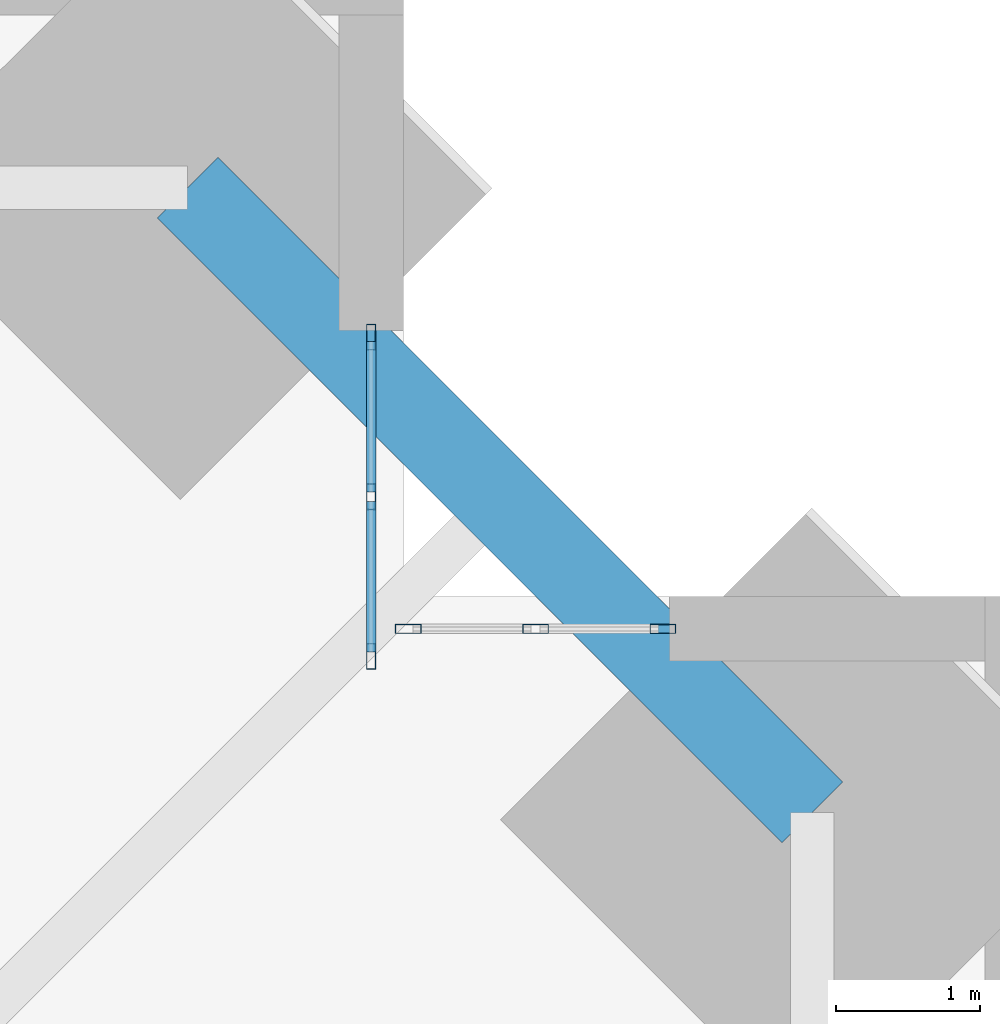
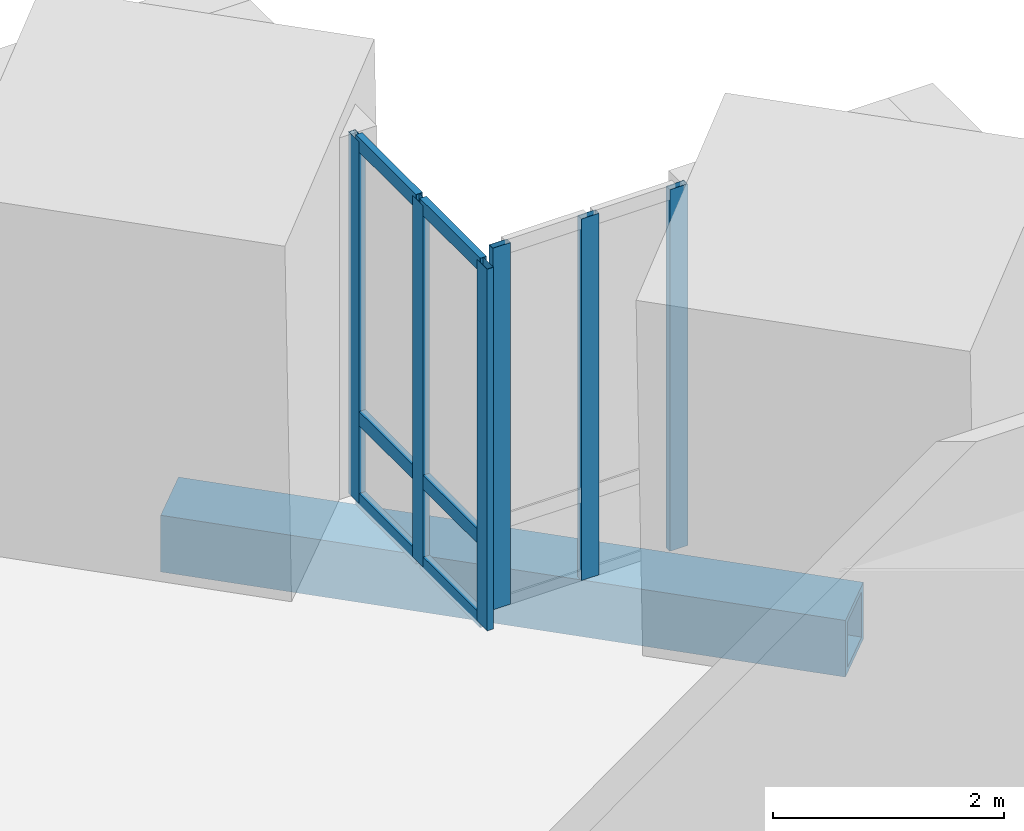
# One storey, part 8 of 15: 12 members, 1 beam, 2 elements without a shape of their own.
"""IFC4 building model written with IfcOpenShell, lengths in metres."""

import ifcopenshell
import ifcopenshell.guid

model = None  # the IFC model being written
_history = None  # IfcOwnerHistory: only IFC2X3 demands one
_inside = {}  # id of a spatial element -> (the spatial element, [elements in it])
_under = {}  # id of a project, library or spatial element -> (it, [spatial elements below it])
_declared = {}  # id of a project -> (the project, [libraries it declares])
_typed = {}  # id of a type object -> (the type object, [elements of that type])
_made_of = {}  # id of a material, layer set ... -> (it, [elements and type objects made of it])


def new_model(schema):
    """Start an empty IFC model of exactly this schema.

    Asked for "IFC4X3", IfcOpenShell would pick the latest addendum, in which some entities
    have other attributes; the version numbers below select the first issue.
    IFC2X3 requires an IfcOwnerHistory on every rooted entity: one is made here for all.
    """
    global model, _history
    if schema == "IFC4X3":
        model = ifcopenshell.file(schema_version=(4, 3, 0, 0))
    else:
        model = ifcopenshell.file(schema=schema)
    _inside.clear()
    _under.clear()
    _declared.clear()
    _typed.clear()
    _made_of.clear()
    _history = None
    if model.schema == "IFC2X3":
        org = make("IfcOrganization", Name="unknown")
        user = make(
            "IfcPersonAndOrganization",
            ThePerson=make("IfcPerson", FamilyName="unknown"),
            TheOrganization=org,
        )
        app = make(
            "IfcApplication",
            ApplicationDeveloper=org,
            Version="unknown",
            ApplicationFullName="unknown",
            ApplicationIdentifier="unknown",
        )
        _history = make(
            "IfcOwnerHistory",
            OwningUser=user,
            OwningApplication=app,
            ChangeAction="ADDED",
            CreationDate=0,
        )
    return model


def make(cls, **values):
    """One entity of the class cls with the attributes given. An attribute that is None is left unset."""
    return model.create_entity(
        cls, **{name: value for name, value in values.items() if value is not None}
    )


def rooted(cls, **values):
    """An entity with a GlobalId (a new one), such as an element, a storey or a relation."""
    return make(cls, GlobalId=ifcopenshell.guid.new(), OwnerHistory=_history, **values)


def si_unit(unit_type, name, prefix=None):
    """IfcSIUnit, for example si_unit("LENGTHUNIT", "METRE", prefix="MILLI")."""
    return make("IfcSIUnit", UnitType=unit_type, Prefix=prefix, Name=name)


def assignment(units):
    """IfcUnitAssignment: the units of a project."""
    return None if units is None else make("IfcUnitAssignment", Units=units)


def point(xyz):
    """IfcCartesianPoint."""
    return None if xyz is None else make("IfcCartesianPoint", Coordinates=xyz)


def direction(xyz):
    """IfcDirection."""
    return None if xyz is None else make("IfcDirection", DirectionRatios=xyz)


def frame(location, z_axis=None, x_axis=None):
    """IfcAxis2Placement3D, a coordinate frame: its origin and axes. An axis left out is left unset."""
    return make(
        "IfcAxis2Placement3D",
        Location=point(location),
        Axis=direction(z_axis),
        RefDirection=direction(x_axis),
    )


def frame_2d(location, x_axis=None):
    """IfcAxis2Placement2D, a coordinate frame in the plane: its origin and x axis."""
    return make(
        "IfcAxis2Placement2D", Location=point(location), RefDirection=direction(x_axis)
    )


def origin():
    """The frame at (0, 0, 0) with its axes left unset."""
    return frame((0.0, 0.0, 0.0))


def origin_2d():
    """The frame at (0, 0) in the plane with its x axis left unset."""
    return frame_2d((0.0, 0.0))


def place(relative_to, where):
    """IfcLocalPlacement: puts the frame where relative to a parent placement (None: the world)."""
    return make(
        "IfcLocalPlacement", PlacementRelTo=relative_to, RelativePlacement=where
    )


def context(
    kind, dimensions, precision=None, world=None, true_north=None, identifier=None
):
    """IfcGeometricRepresentationContext, for example the 3D "Model" context."""
    return make(
        "IfcGeometricRepresentationContext",
        ContextIdentifier=identifier,
        ContextType=kind,
        CoordinateSpaceDimension=dimensions,
        Precision=precision,
        WorldCoordinateSystem=world,
        TrueNorth=true_north,
    )


def subcontext(parent, identifier, kind, view, scale=None):
    """IfcGeometricRepresentationSubContext, for example "Body" below "Model"."""
    return make(
        "IfcGeometricRepresentationSubContext",
        ContextIdentifier=identifier,
        ContextType=kind,
        ParentContext=parent,
        TargetScale=scale,
        TargetView=view,
    )


def project(units=None, contexts=None):
    """IfcProject with its units and contexts."""
    return rooted(
        "IfcProject",
        Name="project",
        RepresentationContexts=contexts,
        UnitsInContext=assignment(units),
    )


def spatial(cls, under=None, at=None, **own):
    """A site, building, storey or space (cls), placed at a placement, below another one or the project."""
    s = rooted(cls, ObjectPlacement=at, **own)
    if under is not None:
        _under.setdefault(under.id(), (under, []))[1].append(s)
    return s


def profile(cls, at=None, kind="AREA", **sizes):
    """A parametric profile (cls). Its sizes go by their IFC names, for example OverallWidth=200.0."""
    return make(cls, ProfileType=kind, Position=at, **sizes)


def hollow_rectangle(**sizes):
    """IfcRectangleHollowProfileDef."""
    return profile("IfcRectangleHollowProfileDef", **sizes)


def extrude(swept, where, along, depth):
    """IfcExtrudedAreaSolid: the profile swept, set in the frame where, extruded along a direction by depth."""
    return make(
        "IfcExtrudedAreaSolid",
        SweptArea=swept,
        Position=where,
        ExtrudedDirection=direction(along),
        Depth=depth,
    )


def shape(context_of_items, identifier, shape_type, items):
    """IfcShapeRepresentation: the items that make up one representation, for example the "Body"."""
    return make(
        "IfcShapeRepresentation",
        ContextOfItems=context_of_items,
        RepresentationIdentifier=identifier,
        RepresentationType=shape_type,
        Items=items,
    )


def material(Name=None, Category=None):
    """IfcMaterial."""
    return make("IfcMaterial", Name=Name, Category=Category)


def material_profile(
    of_material, cross_section, Name=None, Category=None, Priority=None
):
    """IfcMaterialProfile: a cross section and its material."""
    return make(
        "IfcMaterialProfile",
        Name=Name,
        Material=of_material,
        Profile=cross_section,
        Priority=Priority,
        Category=Category,
    )


def profile_set(profiles, Name=None, composite=None):
    """IfcMaterialProfileSet."""
    return make(
        "IfcMaterialProfileSet",
        Name=Name,
        MaterialProfiles=profiles,
        CompositeProfile=composite,
    )


def made_of(thing, what):
    """Note that an element or type object is made of a material, layer set ...; save() writes the relation."""
    if what is not None:
        _made_of.setdefault(what.id(), (what, []))[1].append(thing)
    return thing


def type_object(cls, material=None, **own):
    """A type object (cls), such as IfcWallType, which elements share."""
    return made_of(rooted(cls, **own), material)


def element(
    cls,
    number,
    at=None,
    inside=None,
    cuts=None,
    type_object=None,
    material=None,
    context=None,
    identifier="Body",
    shape_type=None,
    held_by="IfcProductDefinitionShape",
    body=None,
    shapes=None,
    **own,
):
    """One element of the class cls, such as IfcWall. Its Tag is "e" and its number.

    at: its placement. inside: the storey or other place that contains it. cuts: it is an
    opening in that element (IfcRelVoidsElement). A single representation is given by context,
    identifier, shape_type and body (its items); several are given by shapes. held_by: the class
    of the entity that holds the representations. save() writes the other relations.
    """
    e = rooted(cls, Tag="e%d" % number, ObjectPlacement=at, **own)
    if body is not None:
        shapes = [shape(context, identifier, shape_type, body)]
    if shapes is not None:
        e.Representation = make(held_by, Representations=shapes)
    if inside is not None:
        _inside.setdefault(inside.id(), (inside, []))[1].append(e)
    if cuts is not None:
        rooted(
            "IfcRelVoidsElement", RelatingBuildingElement=cuts, RelatedOpeningElement=e
        )
    if type_object is not None:
        _typed.setdefault(type_object.id(), (type_object, []))[1].append(e)
    return made_of(e, material)


def aggregate(whole, parts):
    """IfcRelAggregates: a whole, such as a stair, and the parts it consists of."""
    return rooted("IfcRelAggregates", RelatingObject=whole, RelatedObjects=parts)


def save(model, path):
    """Write the relations noted so far, then the file.

    IfcRelAggregates (storeys below a building ...), IfcRelContainedInSpatialStructure (elements
    in a storey), IfcRelDefinesByType, IfcRelAssociatesMaterial and IfcRelDeclares: one each for
    every whole, place, type object, material and project.
    """
    for whole, parts in _under.values():
        aggregate(whole, parts)
    for where, things in _inside.values():
        rooted(
            "IfcRelContainedInSpatialStructure",
            RelatedElements=things,
            RelatingStructure=where,
        )
    for kind, things in _typed.values():
        rooted("IfcRelDefinesByType", RelatedObjects=things, RelatingType=kind)
    for what, things in _made_of.values():
        rooted("IfcRelAssociatesMaterial", RelatedObjects=things, RelatingMaterial=what)
    for by, libraries in _declared.values():
        rooted("IfcRelDeclares", RelatingContext=by, RelatedDefinitions=libraries)
    model.write(path)


model = new_model("IFC4")

# Units and contexts
model_context = context("Model", 3, precision=1e-05, world=origin(), true_north=direction((0.0, 1.0)))
body_context = subcontext(model_context, "Body", "Model", "MODEL_VIEW")
ifc_project = project(units=[si_unit("LENGTHUNIT", "METRE"), si_unit("AREAUNIT", "SQUARE_METRE"), si_unit("VOLUMEUNIT", "CUBIC_METRE"), si_unit("PLANEANGLEUNIT", "RADIAN"), si_unit("MASSUNIT", "GRAM", prefix="KILO")], contexts=[model_context])

# Site, building, storey
site_placement = place(None, origin())
site = spatial("IfcSite", under=ifc_project, at=site_placement, CompositionType="ELEMENT")
building_placement = place(site_placement, origin())
building = spatial("IfcBuilding", under=site, at=building_placement, Name="Peilmerk Tower", CompositionType="ELEMENT")
storey_placement = place(building_placement, frame((0.0, 0.0, 241.800048828125)))
storey = spatial("IfcBuildingStorey", under=building, at=storey_placement, Name="L53", CompositionType="ELEMENT", Elevation=241.800048828125)

# Beam
ifc_material_1 = material(Name="Steel S460", Category="steel")
ifc_material_profile_1 = material_profile(ifc_material_1, hollow_rectangle(XDim=0.60009765625, YDim=0.60009765625, WallThickness=0.06005859375, at=origin_2d()), Name="BOX 600x600x60")
ifc_profile_set_1 = profile_set([ifc_material_profile_1], Name="Steel S460")
beam_type = type_object("IfcBeamType", Name="B20 BOX 600x600x60 notch beam", PredefinedType="SPANDREL", material=ifc_profile_set_1)
beam_placement = place(storey_placement, frame((16.796875, 21.146728515625, -0.469970703125), z_axis=(0.707106781187, -0.707106781187, 0.0), x_axis=(0.707106781187, 0.707106781187, 0.0)))
element("IfcBeam", 1, at=beam_placement, inside=storey, type_object=beam_type, Name="Notch beam L53", PredefinedType="SPANDREL", context=body_context, shape_type="SweptSolid", body=[
    extrude(hollow_rectangle(XDim=0.60009765625, YDim=0.60009765625, WallThickness=0.06005859375, at=origin_2d()), origin(), (0.0, 0.0, 1.0), 6.151611328125),
])

# Curtain wall, members
ifc_material_2 = material(Name="Aluminium stick curtain wall", Category="aluminium")
curtain_wall_type = type_object("IfcCurtainWallType", Name="CW4 stick curtain wall, 2250 module", PredefinedType="NOTDEFINED", material=ifc_material_2)
curtain_wall_1_placement = place(storey_placement, origin())
curtain_wall_1 = element("IfcCurtainWall", 2, at=curtain_wall_1_placement, inside=storey, type_object=curtain_wall_type, Name="Curtain wall CW4 NEA L53", PredefinedType="NOTDEFINED")
ifc_material_3 = material(Name="Aluminium EN AW-6063 T6", Category="aluminium")
ifc_material_profile_2 = material_profile(ifc_material_3, hollow_rectangle(XDim=0.06494140625, YDim=0.179931640625, WallThickness=0.0029296875, at=origin_2d()), Name="AL 180x65x3")
ifc_profile_set_2 = profile_set([ifc_material_profile_2], Name="Aluminium EN AW-6063 T6")
member_type_1 = type_object("IfcMemberType", Name="CW4-M AL 180x65x3 mullion", PredefinedType="MULLION", material=ifc_profile_set_2)
member_1_placement = place(storey_placement, frame((18.074951171875, 17.882568359375, 0.0), z_axis=(0.0, 0.0, 1.0), x_axis=(-1.0, 0.0, 0.0)))
member_1 = element("IfcMember", 3, at=member_1_placement, type_object=member_type_1, Name="CW4 mullion 1", PredefinedType="MULLION", context=body_context, shape_type="SweptSolid", body=[
    extrude(hollow_rectangle(XDim=0.06494140625, YDim=0.179931640625, WallThickness=0.0029296875, at=origin_2d()), origin(), (0.0, 0.0, 1.0), 3.829833984375),
])
member_2_placement = place(storey_placement, frame((18.074951171875, 18.994384765625, 0.0), z_axis=(0.0, 0.0, 1.0), x_axis=(-1.0, 0.0, 0.0)))
member_2 = element("IfcMember", 4, at=member_2_placement, type_object=member_type_1, Name="CW4 mullion 2", PredefinedType="MULLION", context=body_context, shape_type="SweptSolid", body=[
    extrude(hollow_rectangle(XDim=0.06494140625, YDim=0.179931640625, WallThickness=0.0029296875, at=origin_2d()), origin(), (0.0, 0.0, 1.0), 3.829833984375),
])
member_3_placement = place(storey_placement, frame((18.074951171875, 20.106201171875, 0.0), z_axis=(0.0, 0.0, 1.0), x_axis=(-1.0, 0.0, 0.0)))
member_3 = element("IfcMember", 5, at=member_3_placement, type_object=member_type_1, Name="CW4 mullion 3", PredefinedType="MULLION", context=body_context, shape_type="SweptSolid", body=[
    extrude(hollow_rectangle(XDim=0.06494140625, YDim=0.179931640625, WallThickness=0.0029296875, at=origin_2d()), origin(), (0.0, 0.0, 1.0), 3.829833984375),
])

curtain_wall_2_placement = place(storey_placement, origin())
curtain_wall_2 = element("IfcCurtainWall", 6, at=curtain_wall_2_placement, inside=storey, type_object=curtain_wall_type, Name="Curtain wall CW4 NEB L53", PredefinedType="NOTDEFINED")
member_4_placement = place(storey_placement, frame((18.33251953125, 18.074951171875, 0.0), z_axis=(0.0, 0.0, 1.0), x_axis=(0.0, 1.0, 0.0)))
member_4 = element("IfcMember", 7, at=member_4_placement, type_object=member_type_1, Name="CW4 mullion 1", PredefinedType="MULLION", context=body_context, shape_type="SweptSolid", body=[
    extrude(hollow_rectangle(XDim=0.06494140625, YDim=0.179931640625, WallThickness=0.0029296875, at=origin_2d()), origin(), (0.0, 0.0, 1.0), 3.829833984375),
])
member_5_placement = place(storey_placement, frame((19.21923828125, 18.074951171875, 0.0), z_axis=(0.0, 0.0, 1.0), x_axis=(0.0, 1.0, 0.0)))
member_5 = element("IfcMember", 8, at=member_5_placement, type_object=member_type_1, Name="CW4 mullion 2", PredefinedType="MULLION", context=body_context, shape_type="SweptSolid", body=[
    extrude(hollow_rectangle(XDim=0.06494140625, YDim=0.179931640625, WallThickness=0.0029296875, at=origin_2d()), origin(), (0.0, 0.0, 1.0), 3.829833984375),
])
member_6_placement = place(storey_placement, frame((20.106201171875, 18.074951171875, 0.0), z_axis=(0.0, 0.0, 1.0), x_axis=(0.0, 1.0, 0.0)))
member_6 = element("IfcMember", 9, at=member_6_placement, type_object=member_type_1, Name="CW4 mullion 3", PredefinedType="MULLION", context=body_context, shape_type="SweptSolid", body=[
    extrude(hollow_rectangle(XDim=0.06494140625, YDim=0.179931640625, WallThickness=0.0029296875, at=origin_2d()), origin(), (0.0, 0.0, 1.0), 3.829833984375),
])
aggregate(curtain_wall_2, [member_4, member_5, member_6])

# Member
ifc_material_profile_3 = material_profile(ifc_material_3, hollow_rectangle(XDim=0.06494140625, YDim=0.14990234375, WallThickness=0.0029296875, at=origin_2d()), Name="AL 150x65x3")
ifc_profile_set_3 = profile_set([ifc_material_profile_3], Name="Aluminium EN AW-6063 T6")
member_type_2 = type_object("IfcMemberType", Name="CW4-T AL 150x65x3 transom", PredefinedType="USERDEFINED", material=ifc_profile_set_3)
member_7_placement = place(storey_placement, frame((18.074951171875, 17.9150390625, 0.032470703125), z_axis=(0.0, 1.0, 0.0), x_axis=(-1.0, 0.0, 0.0)))
member_7 = element("IfcMember", 10, at=member_7_placement, type_object=member_type_2, Name="CW4 transom 1.1", ObjectType="TRANSOM", PredefinedType="USERDEFINED", context=body_context, shape_type="SweptSolid", body=[
    extrude(hollow_rectangle(XDim=0.06494140625, YDim=0.14990234375, WallThickness=0.0029296875, at=origin_2d()), origin(), (0.0, 0.0, 1.0), 1.046875),
])

member_8_placement = place(storey_placement, frame((18.074951171875, 17.9150390625, 0.89990234375), z_axis=(0.0, 1.0, 0.0), x_axis=(-1.0, 0.0, 0.0)))
member_8 = element("IfcMember", 11, at=member_8_placement, type_object=member_type_2, Name="CW4 transom 1.2", ObjectType="TRANSOM", PredefinedType="USERDEFINED", context=body_context, shape_type="SweptSolid", body=[
    extrude(hollow_rectangle(XDim=0.06494140625, YDim=0.14990234375, WallThickness=0.0029296875, at=origin_2d()), origin(), (0.0, 0.0, 1.0), 1.046875),
])

member_9_placement = place(storey_placement, frame((18.074951171875, 17.9150390625, 3.79736328125), z_axis=(0.0, 1.0, 0.0), x_axis=(-1.0, 0.0, 0.0)))
member_9 = element("IfcMember", 12, at=member_9_placement, type_object=member_type_2, Name="CW4 transom 1.3", ObjectType="TRANSOM", PredefinedType="USERDEFINED", context=body_context, shape_type="SweptSolid", body=[
    extrude(hollow_rectangle(XDim=0.06494140625, YDim=0.14990234375, WallThickness=0.0029296875, at=origin_2d()), origin(), (0.0, 0.0, 1.0), 1.046875),
])

member_10_placement = place(storey_placement, frame((18.074951171875, 19.02685546875, 0.032470703125), z_axis=(0.0, 1.0, 0.0), x_axis=(-1.0, 0.0, 0.0)))
member_10 = element("IfcMember", 13, at=member_10_placement, type_object=member_type_2, Name="CW4 transom 2.1", ObjectType="TRANSOM", PredefinedType="USERDEFINED", context=body_context, shape_type="SweptSolid", body=[
    extrude(hollow_rectangle(XDim=0.06494140625, YDim=0.14990234375, WallThickness=0.0029296875, at=origin_2d()), origin(), (0.0, 0.0, 1.0), 1.046875),
])

member_11_placement = place(storey_placement, frame((18.074951171875, 19.02685546875, 0.89990234375), z_axis=(0.0, 1.0, 0.0), x_axis=(-1.0, 0.0, 0.0)))
member_11 = element("IfcMember", 14, at=member_11_placement, type_object=member_type_2, Name="CW4 transom 2.2", ObjectType="TRANSOM", PredefinedType="USERDEFINED", context=body_context, shape_type="SweptSolid", body=[
    extrude(hollow_rectangle(XDim=0.06494140625, YDim=0.14990234375, WallThickness=0.0029296875, at=origin_2d()), origin(), (0.0, 0.0, 1.0), 1.046875),
])

member_12_placement = place(storey_placement, frame((18.074951171875, 19.02685546875, 3.79736328125), z_axis=(0.0, 1.0, 0.0), x_axis=(-1.0, 0.0, 0.0)))
member_12 = element("IfcMember", 15, at=member_12_placement, type_object=member_type_2, Name="CW4 transom 2.3", ObjectType="TRANSOM", PredefinedType="USERDEFINED", context=body_context, shape_type="SweptSolid", body=[
    extrude(hollow_rectangle(XDim=0.06494140625, YDim=0.14990234375, WallThickness=0.0029296875, at=origin_2d()), origin(), (0.0, 0.0, 1.0), 1.046875),
])

aggregate(curtain_wall_1, [member_1, member_2, member_3, member_7, member_8, member_9, member_10, member_11, member_12])

save(model, "model.ifc")
